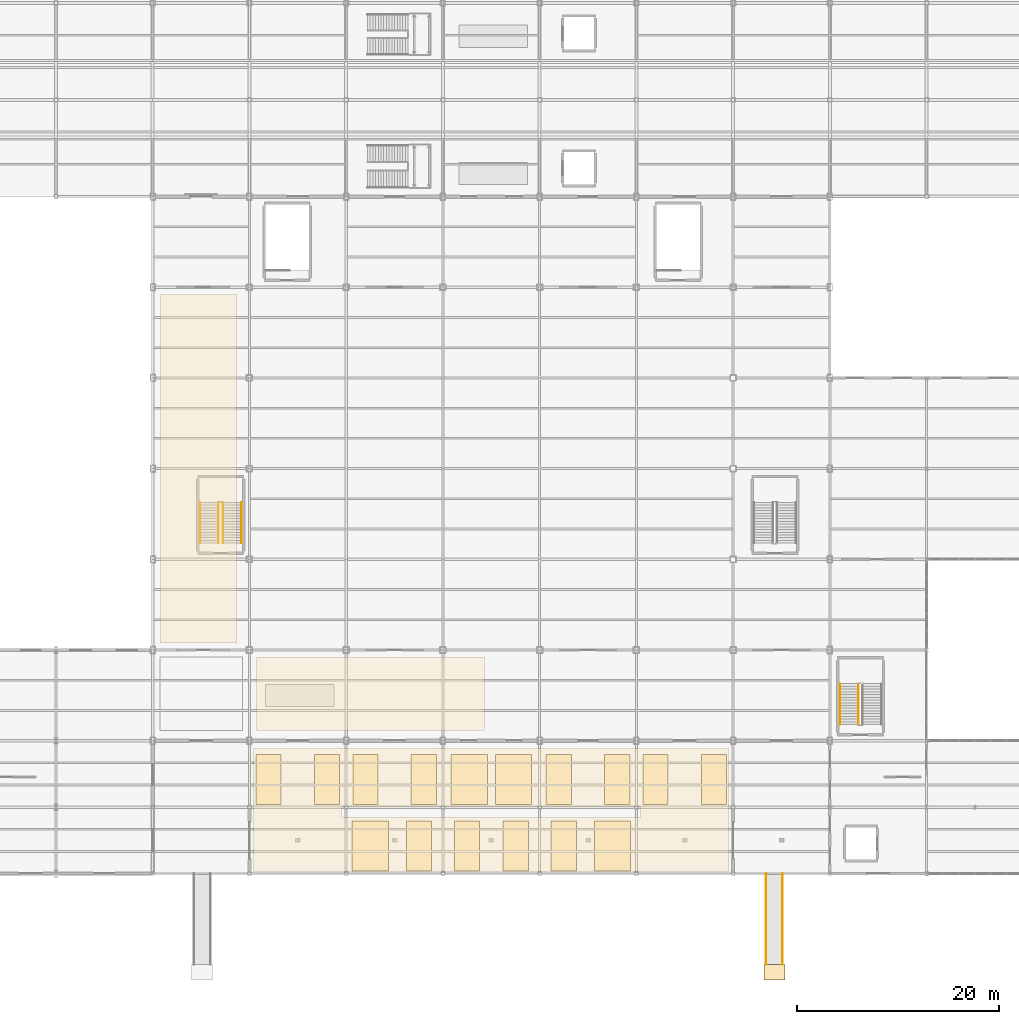
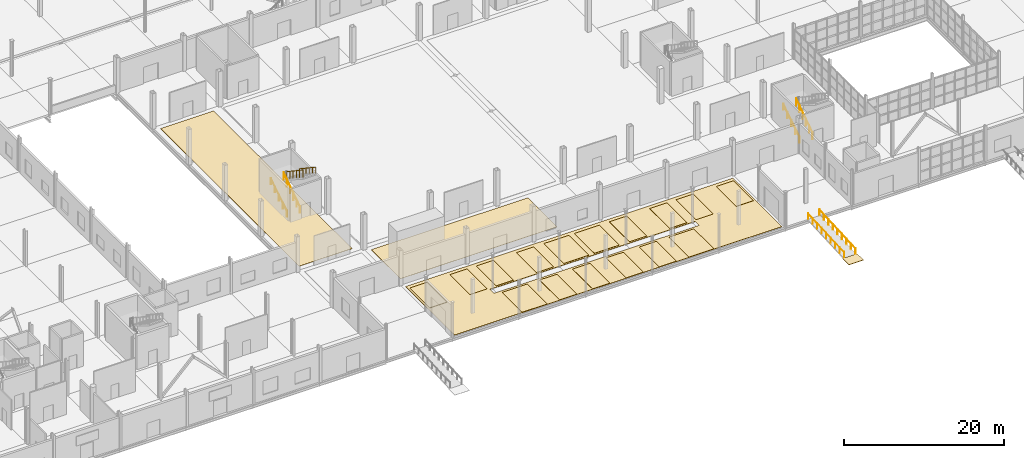
# One storey, part 78 of 85: 20 coverings, 8 railings.
"""IFC4 building model written with IfcOpenShell, lengths in metres."""

from ifc_helpers import new_model, si_unit, direction, frame, origin, origin_2d, place, context, subcontext, project, spatial, polyline, rectangle, circle, outline, extrude, material, layer, layer_set, type_object, element, save


model = new_model("IFC4")

# Units and contexts
model_context = context("Model", 3, precision=1e-05, world=origin(), true_north=direction((0.0, 1.0)))
body_context = subcontext(model_context, "Body", "Model", "MODEL_VIEW")
ifc_project = project(units=[si_unit("LENGTHUNIT", "METRE"), si_unit("AREAUNIT", "SQUARE_METRE"), si_unit("VOLUMEUNIT", "CUBIC_METRE"), si_unit("PLANEANGLEUNIT", "RADIAN"), si_unit("MASSUNIT", "GRAM", prefix="KILO")], contexts=[model_context])

# Site, building, storey
site_placement = place(None, origin())
site = spatial("IfcSite", under=ifc_project, at=site_placement, CompositionType="ELEMENT")
building_placement = place(site_placement, origin())
building = spatial("IfcBuilding", under=site, at=building_placement, Name="Zarnetskaya Central Station", CompositionType="ELEMENT")
storey_placement = place(building_placement, origin())
storey = spatial("IfcBuildingStorey", under=building, at=storey_placement, Name="L00", CompositionType="ELEMENT", Elevation=0.0)

# Coverings
ifc_material_1 = material(Name="Granite stone bay marking", Category="masonry")
ifc_layer_1 = layer(ifc_material_1, 0.014892578125, Name="Granite stone bay marking", Category="masonry")
ifc_layer_set_1 = layer_set([ifc_layer_1], Name="Granite stone bay marking")
covering_type_1 = type_object("IfcCoveringType", Name="COV-BAY-MARK", PredefinedType="USERDEFINED", material=ifc_layer_set_1)
for number, where, z_axis, x_axis, name in (
    (1, (69.10009765625, 9.35009765625, 0.05029296875), (0.0, 0.0, 1.0), (1.0, 0.0, 0.0), "Short-stay car parking bay 01"),
    (2, (74.89990234375, 9.35009765625, 0.05029296875), (0.0, 0.0, 1.0), (1.0, 0.0, 0.0), "Short-stay car parking bay 02"),
    (3, (78.699951171875, 9.35009765625, 0.05029296875), (0.0, 0.0, 1.0), (1.0, 0.0, 0.0), "Short-stay car parking bay 03"),
    (4, (84.5, 9.35009765625, 0.05029296875), (0.0, 0.0, 1.0), (1.0, 0.0, 0.0), "Short-stay car parking bay 04"),
    (5, (97.89990234375, 9.35009765625, 0.05029296875), (0.0, 0.0, 1.0), (1.0, 0.0, 0.0), "Short-stay car parking bay 05"),
    (6, (103.699951171875, 9.35009765625, 0.05029296875), (0.0, 0.0, 1.0), (1.0, 0.0, 0.0), "Short-stay car parking bay 06"),
    (7, (107.5, 9.35009765625, 0.05029296875), (0.0, 0.0, 1.0), (1.0, 0.0, 0.0), "Short-stay car parking bay 07"),
    (8, (113.300048828125, 9.35009765625, 0.05029296875), (0.0, 0.0, 1.0), (1.0, 0.0, 0.0), "Short-stay car parking bay 08"),
    (9, (84.02001953125, 2.75, 0.05029296875), (0.0, 0.0, 1.0), (1.0, 0.0, 0.0), "Short-stay car parking bay 09"),
    (10, (88.780029296875, 2.75, 0.05029296875), (0.0, 0.0, 1.0), (1.0, 0.0, 0.0), "Short-stay car parking bay 10"),
    (11, (93.6201171875, 2.75, 0.05029296875), (0.0, 0.0, 1.0), (1.0, 0.0, 0.0), "Short-stay car parking bay 11"),
    (12, (98.3798828125, 2.75, 0.05029296875), (0.0, 0.0, 1.0), (1.0, 0.0, 0.0), "Short-stay car parking bay 12"),
):
    element("IfcCovering", number, at=place(storey_placement, frame(where, z_axis=z_axis, x_axis=x_axis)), inside=storey, type_object=covering_type_1, Name=name, ObjectType="ROAD_MARKING", PredefinedType="USERDEFINED", context=body_context, shape_type="SweptSolid", body=[
        extrude(rectangle(XDim=2.5, YDim=5.0, at=origin_2d()), origin(), (0.0, 0.0, 1.0), 0.014892578125),
    ])
for number, where, z_axis, x_axis, name in (
    (13, (89.0, 9.35009765625, 0.05029296875), (0.0, 0.0, 1.0), (1.0, 0.0, 0.0), "Accessible disabled parking bay 01"),
    (14, (93.39990234375, 9.35009765625, 0.05029296875), (0.0, 0.0, 1.0), (1.0, 0.0, 0.0), "Accessible disabled parking bay 02"),
    (15, (79.179931640625, 2.75, 0.05029296875), (0.0, 0.0, 1.0), (1.0, 0.0, 0.0), "Accessible disabled parking bay 03"),
    (16, (103.219970703125, 2.75, 0.05029296875), (0.0, 0.0, 1.0), (1.0, 0.0, 0.0), "Accessible disabled parking bay 04"),
):
    element("IfcCovering", number, at=place(storey_placement, frame(where, z_axis=z_axis, x_axis=x_axis)), inside=storey, type_object=covering_type_1, Name=name, ObjectType="ROAD_MARKING", PredefinedType="USERDEFINED", context=body_context, shape_type="SweptSolid", body=[
        extrude(rectangle(XDim=3.60009765625, YDim=5.0, at=origin_2d()), origin(), (0.0, 0.0, 1.0), 0.014892578125),
    ])
ifc_material_2 = material(Name="Granite stone flooring", Category="masonry")
ifc_layer_2 = layer(ifc_material_2, 0.0400390625, Name="Granite stone flooring", Category="masonry")
ifc_layer_set_2 = layer_set([ifc_layer_2], Name="Granite stone flooring")
covering_type_2 = type_object("IfcCoveringType", Name="COV-GRAN-FLR", PredefinedType="FLOORING", material=ifc_layer_set_2)
covering_1_placement = place(storey_placement, origin())
element("IfcCovering", 17, at=covering_1_placement, inside=storey, type_object=covering_type_2, Name="Granite terrazzo floor finish L00-201W", PredefinedType="FLOORING", context=body_context, shape_type="SweptSolid", body=[
    extrude(outline(polyline([(58.300048828125, 22.89990234375), (65.949951171875, 22.89990234375), (65.949951171875, 57.5), (58.300048828125, 57.5), (58.300048828125, 22.89990234375)])), origin(), (0.0, 0.0, 1.0), 0.0400390625),
])
covering_2_placement = place(storey_placement, origin())
element("IfcCovering", 18, at=covering_2_placement, inside=storey, type_object=covering_type_2, Name="Granite terrazzo floor finish L00-203E", PredefinedType="FLOORING", context=body_context, shape_type="SweptSolid", body=[
    extrude(outline(polyline([(67.89990234375, 14.199951171875), (90.5, 14.199951171875), (90.5, 21.5), (67.89990234375, 21.5), (67.89990234375, 14.199951171875)])), origin(), (0.0, 0.0, 1.0), 0.0400390625),
])
ifc_material_3 = material(Name="Granite stone sidewalk paving", Category="masonry")
ifc_layer_3 = layer(ifc_material_3, 0.050048828125, Name="Granite stone sidewalk paving", Category="masonry")
ifc_layer_set_3 = layer_set([ifc_layer_3], Name="Granite stone sidewalk paving")
covering_type_3 = type_object("IfcCoveringType", Name="COV-PAVING", PredefinedType="USERDEFINED", material=ifc_layer_set_3)
covering_3_placement = place(storey_placement, frame((0.0, 0.0, -0.5)))
element("IfcCovering", 19, at=covering_3_placement, inside=storey, type_object=covering_type_3, Name="Accessible ramp lower landing paving RM-03", ObjectType="PAVING", PredefinedType="USERDEFINED", context=body_context, shape_type="SweptSolid", body=[
    extrude(outline(polyline([(118.25, -10.550048828125), (120.35009765625, -10.550048828125), (120.35009765625, -9.0), (118.25, -9.0), (118.25, -10.550048828125)])), origin(), (0.0, 0.0, 1.0), 0.050048828125),
])
ifc_material_4 = material(Name="Granite stone roadway paving", Category="masonry")
ifc_layer_4 = layer(ifc_material_4, 0.050048828125, Name="Granite stone roadway paving", Category="masonry")
ifc_layer_set_4 = layer_set([ifc_layer_4], Name="Granite stone roadway paving")
covering_type_4 = type_object("IfcCoveringType", Name="COV-ROADWAY", PredefinedType="USERDEFINED", material=ifc_layer_set_4)
covering_4_placement = place(storey_placement, origin())
element("IfcCovering", 20, at=covering_4_placement, inside=storey, type_object=covering_type_4, Name="Forecourt two-way circulation roadway loop", ObjectType="ROADWAY", PredefinedType="USERDEFINED", context=body_context, shape_type="SweptSolid", body=[
    extrude(outline(polyline([(67.60009765625, 0.199951171875), (114.800048828125, 0.199951171875), (114.800048828125, 12.39990234375), (67.60009765625, 12.39990234375), (67.60009765625, 0.199951171875)]), holes=[polyline([(76.39990234375, 5.60009765625), (106.0, 5.60009765625), (106.0, 6.60009765625), (76.39990234375, 6.60009765625), (76.39990234375, 5.60009765625)])]), origin(), (0.0, 0.0, 1.0), 0.050048828125),
])

# Railings
ifc_material_5 = material(Name="Steel S355", Category="steel")
railing_type_1 = type_object("IfcRailingType", Name="RAIL-HAND-900", PredefinedType="HANDRAIL", material=ifc_material_5)
railing_1_placement = place(storey_placement, frame((62.280029296875, 32.800048828125, 0.168701171875)))
element("IfcRailing", 21, at=railing_1_placement, inside=storey, type_object=railing_type_1, Name="Stair ST-H1 L00 flight 1 handrail", PredefinedType="HANDRAIL", context=body_context, shape_type="SweptSolid", body=[
    extrude(circle(Radius=0.02392578125, at=origin_2d()), frame((0.0, 0.0, 0.8759765625), z_axis=(0.0, 0.848001175806, 0.529994345094), x_axis=(-1.0, 0.0, 0.0)), (0.0, 0.0, 1.0), 4.77587890625),
    extrude(circle(Radius=0.02099609375, at=origin_2d()), origin(), (0.0, 0.0, 1.0), 0.851806640625),
    extrude(circle(Radius=0.02099609375, at=origin_2d()), frame((0.0, 1.012451171875, 0.6328125)), (0.0, 0.0, 1.0), 0.851806640625),
    extrude(circle(Radius=0.02099609375, at=origin_2d()), frame((0.0, 2.02490234375, 1.265625)), (0.0, 0.0, 1.0), 0.851806640625),
    extrude(circle(Radius=0.02099609375, at=origin_2d()), frame((0.0, 3.03759765625, 1.8984375)), (0.0, 0.0, 1.0), 0.851806640625),
    extrude(circle(Radius=0.02099609375, at=origin_2d()), frame((0.0, 4.050048828125, 2.53125)), (0.0, 0.0, 1.0), 0.851806640625),
])
railing_2_placement = place(storey_placement, frame((66.419921875, 36.85009765625, 2.699951171875)))
element("IfcRailing", 22, at=railing_2_placement, inside=storey, type_object=railing_type_1, Name="Stair ST-H1 L00 flight 2 handrail", PredefinedType="HANDRAIL", context=body_context, shape_type="SweptSolid", body=[
    extrude(circle(Radius=0.02392578125, at=origin_2d()), frame((0.0, 0.0, 0.8759765625), z_axis=(0.0, -0.832058010752, 0.55468862143), x_axis=(1.0, 0.0, 0.0)), (0.0, 0.0, 1.0), 4.867431640625),
    extrude(circle(Radius=0.02099609375, at=origin_2d()), origin(), (0.0, 0.0, 1.0), 0.851806640625),
    extrude(circle(Radius=0.02099609375, at=origin_2d()), frame((0.0, -0.81005859375, 0.5400390625)), (0.0, 0.0, 1.0), 0.851806640625),
    extrude(circle(Radius=0.02099609375, at=origin_2d()), frame((0.0, -1.6201171875, 1.080078125)), (0.0, 0.0, 1.0), 0.851806640625),
    extrude(circle(Radius=0.02099609375, at=origin_2d()), frame((0.0, -2.429931640625, 1.619873046875)), (0.0, 0.0, 1.0), 0.851806640625),
    extrude(circle(Radius=0.02099609375, at=origin_2d()), frame((0.0, -3.239990234375, 2.159912109375)), (0.0, 0.0, 1.0), 0.851806640625),
    extrude(circle(Radius=0.02099609375, at=origin_2d()), frame((0.0, -4.050048828125, 2.699951171875)), (0.0, 0.0, 1.0), 0.851806640625),
])
railing_3_placement = place(storey_placement, frame((125.780029296875, 14.800048828125, 0.168701171875)))
element("IfcRailing", 23, at=railing_3_placement, inside=storey, type_object=railing_type_1, Name="Stair ST-V1 L00 flight 1 handrail", PredefinedType="HANDRAIL", context=body_context, shape_type="SweptSolid", body=[
    extrude(circle(Radius=0.02392578125, at=origin_2d()), frame((0.0, 0.0, 0.8759765625), z_axis=(0.0, 0.848001175806, 0.529994345094), x_axis=(-1.0, 0.0, 0.0)), (0.0, 0.0, 1.0), 4.77587890625),
    extrude(circle(Radius=0.02099609375, at=origin_2d()), origin(), (0.0, 0.0, 1.0), 0.851806640625),
    extrude(circle(Radius=0.02099609375, at=origin_2d()), frame((0.0, 1.012451171875, 0.6328125)), (0.0, 0.0, 1.0), 0.851806640625),
    extrude(circle(Radius=0.02099609375, at=origin_2d()), frame((0.0, 2.02490234375, 1.265625)), (0.0, 0.0, 1.0), 0.851806640625),
    extrude(circle(Radius=0.02099609375, at=origin_2d()), frame((0.0, 3.03759765625, 1.8984375)), (0.0, 0.0, 1.0), 0.851806640625),
    extrude(circle(Radius=0.02099609375, at=origin_2d()), frame((0.0, 4.050048828125, 2.53125)), (0.0, 0.0, 1.0), 0.851806640625),
])
railing_type_2 = type_object("IfcRailingType", Name="RAIL-HAND-EXT", PredefinedType="HANDRAIL", material=ifc_material_5)
for number, where, name in (
    (24, (118.47998046875, -9.0, -0.449951171875), "Accessible ramp handrail RM-03-L"),
    (25, (120.1201171875, -9.0, -0.449951171875), "Accessible ramp handrail RM-03-R"),
):
    element("IfcRailing", number, at=place(storey_placement, frame(where)), inside=storey, type_object=railing_type_2, Name=name, PredefinedType="HANDRAIL", context=body_context, shape_type="SweptSolid", body=[
        extrude(circle(Radius=0.02392578125, at=origin_2d()), frame((0.0, 0.0, 0.89599609375), z_axis=(0.0, 0.998752609117, 0.049932211876), x_axis=(-1.0, 0.0, 0.0)), (0.0, 0.0, 1.0), 9.01123046875),
        extrude(circle(Radius=0.02099609375, at=origin_2d()), origin(), (0.0, 0.0, 1.0), 0.871826171875),
        extrude(circle(Radius=0.02099609375, at=origin_2d()), frame((0.0, 1.125, 0.05615234375)), (0.0, 0.0, 1.0), 0.871826171875),
        extrude(circle(Radius=0.02099609375, at=origin_2d()), frame((0.0, 2.25, 0.112548828125)), (0.0, 0.0, 1.0), 0.871826171875),
        extrude(circle(Radius=0.02099609375, at=origin_2d()), frame((0.0, 3.375, 0.168701171875)), (0.0, 0.0, 1.0), 0.871826171875),
        extrude(circle(Radius=0.02099609375, at=origin_2d()), frame((0.0, 4.5, 0.22509765625)), (0.0, 0.0, 1.0), 0.871826171875),
        extrude(circle(Radius=0.02099609375, at=origin_2d()), frame((0.0, 5.625, 0.28125)), (0.0, 0.0, 1.0), 0.871826171875),
        extrude(circle(Radius=0.02099609375, at=origin_2d()), frame((0.0, 6.75, 0.33740234375)), (0.0, 0.0, 1.0), 0.871826171875),
        extrude(circle(Radius=0.02099609375, at=origin_2d()), frame((0.0, 7.875, 0.393798828125)), (0.0, 0.0, 1.0), 0.871826171875),
        extrude(circle(Radius=0.02099609375, at=origin_2d()), frame((0.0, 9.0, 0.449951171875)), (0.0, 0.0, 1.0), 0.871826171875),
    ])
railing_type_3 = type_object("IfcRailingType", Name="RAIL-STAIR-GRD", PredefinedType="BALUSTRADE", material=ifc_material_5)
railing_4_placement = place(storey_placement, frame((64.139892578125, 32.800048828125, 0.0)))
element("IfcRailing", 26, at=railing_4_placement, inside=storey, type_object=railing_type_3, Name="Stair ST-H1 L00 flight 1 well guard", PredefinedType="BALUSTRADE", context=body_context, shape_type="SweptSolid", body=[
    extrude(circle(Radius=0.02392578125, at=origin_2d()), frame((0.0, 0.0, 1.09619140625), z_axis=(0.0, 0.832058010752, 0.55468862143), x_axis=(-1.0, 0.0, 0.0)), (0.0, 0.0, 1.0), 4.867431640625),
    extrude(circle(Radius=0.02099609375, at=origin_2d()), origin(), (0.0, 0.0, 1.0), 1.072021484375),
    extrude(circle(Radius=0.02099609375, at=origin_2d()), frame((0.0, 0.81005859375, 0.5400390625)), (0.0, 0.0, 1.0), 1.072021484375),
    extrude(circle(Radius=0.02099609375, at=origin_2d()), frame((0.0, 1.6201171875, 1.080078125)), (0.0, 0.0, 1.0), 1.072021484375),
    extrude(circle(Radius=0.02099609375, at=origin_2d()), frame((0.0, 2.429931640625, 1.619873046875)), (0.0, 0.0, 1.0), 1.072021484375),
    extrude(circle(Radius=0.02099609375, at=origin_2d()), frame((0.0, 3.239990234375, 2.159912109375)), (0.0, 0.0, 1.0), 1.072021484375),
    extrude(circle(Radius=0.02099609375, at=origin_2d()), frame((0.0, 4.050048828125, 2.699951171875)), (0.0, 0.0, 1.0), 1.072021484375),
])
railing_5_placement = place(storey_placement, frame((64.56005859375, 36.85009765625, 2.699951171875)))
element("IfcRailing", 27, at=railing_5_placement, inside=storey, type_object=railing_type_3, Name="Stair ST-H1 L00 flight 2 well guard", PredefinedType="BALUSTRADE", context=body_context, shape_type="SweptSolid", body=[
    extrude(circle(Radius=0.02392578125, at=origin_2d()), frame((0.0, 0.0, 1.09619140625), z_axis=(0.0, -0.832058010752, 0.55468862143), x_axis=(1.0, 0.0, 0.0)), (0.0, 0.0, 1.0), 4.867431640625),
    extrude(circle(Radius=0.02099609375, at=origin_2d()), origin(), (0.0, 0.0, 1.0), 1.072021484375),
    extrude(circle(Radius=0.02099609375, at=origin_2d()), frame((0.0, -0.81005859375, 0.5400390625)), (0.0, 0.0, 1.0), 1.072021484375),
    extrude(circle(Radius=0.02099609375, at=origin_2d()), frame((0.0, -1.6201171875, 1.080078125)), (0.0, 0.0, 1.0), 1.072021484375),
    extrude(circle(Radius=0.02099609375, at=origin_2d()), frame((0.0, -2.429931640625, 1.619873046875)), (0.0, 0.0, 1.0), 1.072021484375),
    extrude(circle(Radius=0.02099609375, at=origin_2d()), frame((0.0, -3.239990234375, 2.159912109375)), (0.0, 0.0, 1.0), 1.072021484375),
    extrude(circle(Radius=0.02099609375, at=origin_2d()), frame((0.0, -4.050048828125, 2.699951171875)), (0.0, 0.0, 1.0), 1.072021484375),
])
railing_6_placement = place(storey_placement, frame((127.639892578125, 14.800048828125, 0.0)))
element("IfcRailing", 28, at=railing_6_placement, inside=storey, type_object=railing_type_3, Name="Stair ST-V1 L00 flight 1 well guard", PredefinedType="BALUSTRADE", context=body_context, shape_type="SweptSolid", body=[
    extrude(circle(Radius=0.02392578125, at=origin_2d()), frame((0.0, 0.0, 1.09619140625), z_axis=(0.0, 0.832058010752, 0.55468862143), x_axis=(-1.0, 0.0, 0.0)), (0.0, 0.0, 1.0), 4.867431640625),
    extrude(circle(Radius=0.02099609375, at=origin_2d()), origin(), (0.0, 0.0, 1.0), 1.072021484375),
    extrude(circle(Radius=0.02099609375, at=origin_2d()), frame((0.0, 0.81005859375, 0.5400390625)), (0.0, 0.0, 1.0), 1.072021484375),
    extrude(circle(Radius=0.02099609375, at=origin_2d()), frame((0.0, 1.6201171875, 1.080078125)), (0.0, 0.0, 1.0), 1.072021484375),
    extrude(circle(Radius=0.02099609375, at=origin_2d()), frame((0.0, 2.429931640625, 1.619873046875)), (0.0, 0.0, 1.0), 1.072021484375),
    extrude(circle(Radius=0.02099609375, at=origin_2d()), frame((0.0, 3.239990234375, 2.159912109375)), (0.0, 0.0, 1.0), 1.072021484375),
    extrude(circle(Radius=0.02099609375, at=origin_2d()), frame((0.0, 4.050048828125, 2.699951171875)), (0.0, 0.0, 1.0), 1.072021484375),
])

save(model, "model.ifc")
